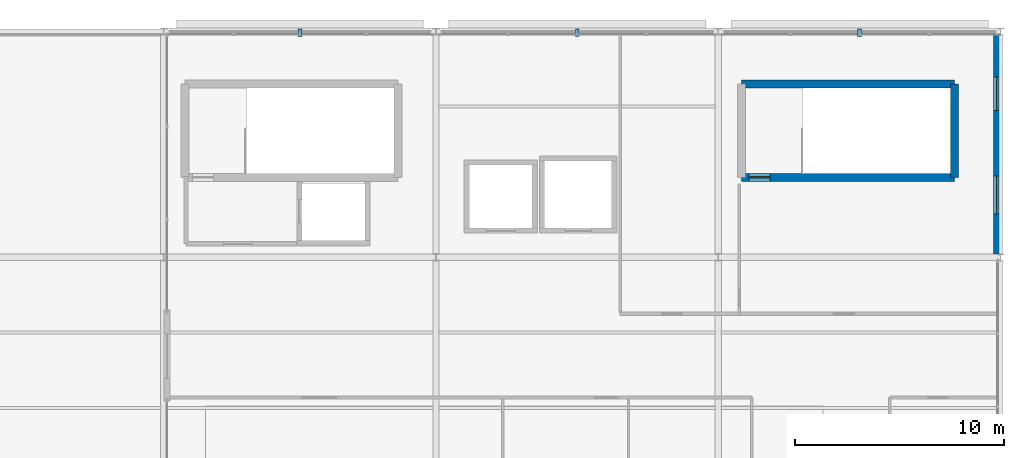
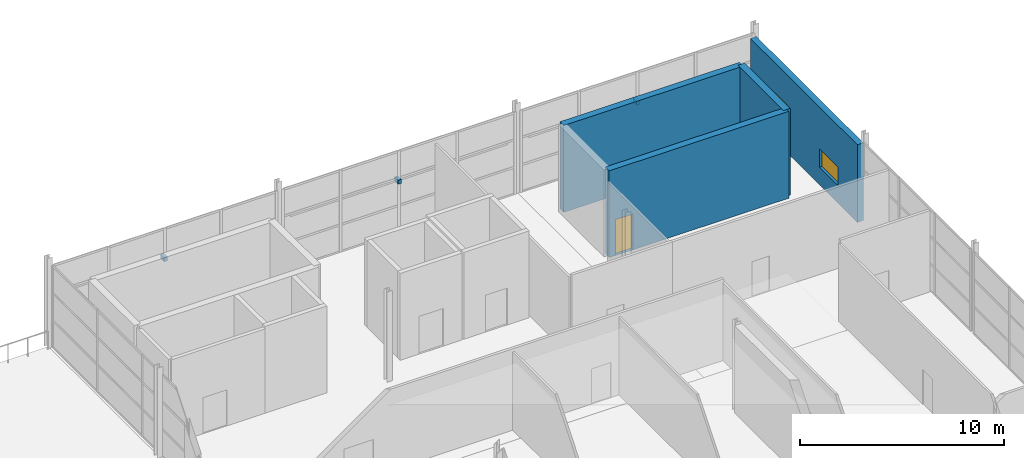
# One storey, part 33 of 34: 4 walls, 3 discrete accessories, 2 windows, 1 door, 3 openings.
"""IFC4 building model written with IfcOpenShell, lengths in metres."""

from ifc_helpers import new_model, si_unit, direction, frame, frame_2d, origin, origin_2d, place, context, subcontext, project, spatial, rectangle, extrude, material, layer, layer_set, type_object, element, fill, save


model = new_model("IFC4")

# Units and contexts
model_context = context("Model", 3, precision=1e-05, world=origin(), true_north=direction((0.0, 1.0)))
body_context = subcontext(model_context, "Body", "Model", "MODEL_VIEW")
ifc_project = project(units=[si_unit("LENGTHUNIT", "METRE"), si_unit("AREAUNIT", "SQUARE_METRE"), si_unit("VOLUMEUNIT", "CUBIC_METRE"), si_unit("PLANEANGLEUNIT", "RADIAN"), si_unit("MASSUNIT", "GRAM", prefix="KILO")], contexts=[model_context])

# Site, building, storey
site_placement = place(None, origin())
site = spatial("IfcSite", under=ifc_project, at=site_placement, CompositionType="ELEMENT")
building_placement = place(site_placement, origin())
building = spatial("IfcBuilding", under=site, at=building_placement, Name="Tamarisk Ironworks Central Station", CompositionType="ELEMENT")
storey_placement = place(building_placement, frame((0.0, 0.0, 25.199951171875)))
storey = spatial("IfcBuildingStorey", under=building, at=storey_placement, Name="L05", CompositionType="ELEMENT", Elevation=25.199951171875)

# Wall, openings, windows
ifc_material_1 = material(Name="Clay facing brickwork and mortar", Category="masonry")
ifc_layer_1 = layer(ifc_material_1, 0.340087890625)
ifc_layer_set_1 = layer_set([ifc_layer_1], Name="Clay facing brickwork and mortar")
wall_type_1 = type_object("IfcWallType", Name="WL-BR340", PredefinedType="STANDARD", material=ifc_layer_set_1)
wall_1_placement = place(storey_placement, frame((179.830078125, 122.251953125, 0.0), z_axis=(0.0, 0.0, 1.0), x_axis=(0.0, -1.0, 0.0)))
wall_1 = element("IfcWall", 1, at=wall_1_placement, inside=storey, type_object=wall_type_1, Name="L05 brick facade wall 0097", PredefinedType="STANDARD", context=body_context, shape_type="SweptSolid", body=[
    extrude(rectangle(XDim=10.50390625, YDim=0.340087890625, at=frame_2d((5.251953125, 0.0))), origin(), (0.0, 0.0, 1.0), 4.650146484375),
])
opening_1_placement = place(wall_1_placement, frame((2.02587890625, 0.0, 0.75)))
opening_1 = element("IfcOpeningElement", 2, at=opening_1_placement, cuts=wall_1, Name="Opening W10", PredefinedType="OPENING", context=body_context, shape_type="SweptSolid", body=[
    extrude(rectangle(XDim=1.60009765625, YDim=2.10009765625, at=frame_2d((0.800048828125, 1.050048828125))), frame((0.0, 0.18212890625, 0.0), z_axis=(0.0, -1.0, 0.0), x_axis=(1.0, 0.0, 0.0)), (0.0, 0.0, 1.0), 0.364013671875),
])
opening_2_placement = place(wall_1_placement, frame((6.778076171875, 0.0, 1.050048828125)))
opening_2 = element("IfcOpeningElement", 3, at=opening_2_placement, cuts=wall_1, Name="Opening W18", PredefinedType="OPENING", context=body_context, shape_type="SweptSolid", body=[
    extrude(rectangle(XDim=1.800048828125, YDim=1.10009765625, at=frame_2d((0.89990234375, 0.550048828125))), frame((0.0, 0.18212890625, 0.0), z_axis=(0.0, -1.0, 0.0), x_axis=(1.0, 0.0, 0.0)), (0.0, 0.0, 1.0), 0.364013671875),
])
ifc_material_2 = material(Name="Laminated solar-control low-E glass", Category="glass")
window_type_1 = type_object("IfcWindowType", Name="WN-10", PartitioningType="SINGLE_PANEL", PredefinedType="WINDOW", material=ifc_material_2)
window_1_placement = place(opening_1_placement, origin())
window_1 = element("IfcWindow", 4, at=window_1_placement, inside=storey, type_object=window_type_1, Name="L05 exterior window 0165", OverallHeight=2.10009765625, OverallWidth=1.60009765625, PartitioningType="DOUBLE_PANEL_VERTICAL", PredefinedType="WINDOW", context=body_context, shape_type="SweptSolid", body=[
    extrude(rectangle(XDim=1.60009765625, YDim=2.10009765625, at=frame_2d((0.800048828125, 1.050048828125))), frame((0.0, 0.030029296875, 0.0), z_axis=(0.0, -1.0, 0.0), x_axis=(1.0, 0.0, 0.0)), (0.0, 0.0, 1.0), 0.06005859375),
])
fill(opening_1, window_1)
window_type_2 = type_object("IfcWindowType", Name="WN-18", PartitioningType="SINGLE_PANEL", PredefinedType="WINDOW", material=ifc_material_2)
window_2_placement = place(opening_2_placement, origin())
window_2 = element("IfcWindow", 5, at=window_2_placement, inside=storey, type_object=window_type_2, Name="L05 exterior window 0166", OverallHeight=1.10009765625, OverallWidth=1.800048828125, PartitioningType="DOUBLE_PANEL_VERTICAL", PredefinedType="WINDOW", context=body_context, shape_type="SweptSolid", body=[
    extrude(rectangle(XDim=1.800048828125, YDim=1.10009765625, at=frame_2d((0.89990234375, 0.550048828125))), frame((0.0, 0.030029296875, 0.0), z_axis=(0.0, -1.0, 0.0), x_axis=(1.0, 0.0, 0.0)), (0.0, 0.0, 1.0), 0.06005859375),
])
fill(opening_2, window_2)

# Wall, opening, door
ifc_material_3 = material(Name="Concrete C50/60", Category="concrete")
ifc_layer_2 = layer(ifc_material_3, 0.3798828125)
ifc_layer_set_2 = layer_set([ifc_layer_2], Name="Concrete C50/60")
wall_type_2 = type_object("IfcWallType", Name="WL-CW380", PredefinedType="SOLIDWALL", material=ifc_layer_set_2)
wall_2_placement = place(storey_placement, frame((167.614990234375, 115.4150390625, 0.0), z_axis=(0.0, 0.0, 1.0), x_axis=(1.0, 0.0, 0.0)))
wall_2 = element("IfcWall", 6, at=wall_2_placement, inside=storey, type_object=wall_type_2, Name="ST-C2 core wall L (L05)", PredefinedType="SOLIDWALL", context=body_context, shape_type="SweptSolid", body=[
    extrude(rectangle(XDim=10.169921875, YDim=0.3798828125, at=frame_2d((5.0849609375, 0.0))), origin(), (0.0, 0.0, 1.0), 5.199951171875),
])
opening_3_placement = place(wall_2_placement, frame((0.35009765625, 0.0, 0.0048828125)))
opening_3 = element("IfcOpeningElement", 7, at=opening_3_placement, cuts=wall_2, Name="Opening FD07", PredefinedType="OPENING", context=body_context, shape_type="SweptSolid", body=[
    extrude(rectangle(XDim=1.0, YDim=2.14990234375, at=frame_2d((0.5, 1.074951171875))), frame((0.0, 0.201904296875, 0.0), z_axis=(0.0, -1.0, 0.0), x_axis=(1.0, 0.0, 0.0)), (0.0, 0.0, 1.0), 0.40380859375),
])
ifc_material_4 = material(Name="Galvanised hollow-metal door steel", Category="steel")
door_type = type_object("IfcDoorType", Name="DR-FD07", OperationType="NOTDEFINED", PredefinedType="DOOR", material=ifc_material_4)
door_placement = place(opening_3_placement, origin())
door = element("IfcDoor", 8, at=door_placement, inside=storey, type_object=door_type, Name="ST-C2 fire stair door (L05)", OperationType="SINGLE_SWING_RIGHT", OverallHeight=2.14990234375, OverallWidth=1.0, PredefinedType="DOOR", context=body_context, shape_type="SweptSolid", body=[
    extrude(rectangle(XDim=1.0, YDim=2.14990234375, at=frame_2d((0.5, 1.074951171875))), frame((0.0, 0.02490234375, 0.0), z_axis=(0.0, -1.0, 0.0), x_axis=(1.0, 0.0, 0.0)), (0.0, 0.0, 1.0), 0.050048828125),
])
fill(opening_3, door)

# Walls
wall_3_placement = place(storey_placement, frame((167.614990234375, 119.885009765625, 0.0), z_axis=(0.0, 0.0, 1.0), x_axis=(1.0, 0.0, 0.0)))
element("IfcWall", 9, at=wall_3_placement, inside=storey, type_object=wall_type_2, Name="ST-C2 core wall R (L05)", PredefinedType="SOLIDWALL", context=body_context, shape_type="SweptSolid", body=[
    extrude(rectangle(XDim=10.169921875, YDim=0.3798828125, at=frame_2d((5.0849609375, 0.0))), origin(), (0.0, 0.0, 1.0), 5.199951171875),
])
wall_4_placement = place(storey_placement, frame((177.784912109375, 115.4150390625, 0.0), z_axis=(0.0, 0.0, 1.0), x_axis=(0.0, 1.0, 0.0)))
element("IfcWall", 10, at=wall_4_placement, inside=storey, type_object=wall_type_2, Name="ST-C2 core wall F (L05)", PredefinedType="SOLIDWALL", context=body_context, shape_type="SweptSolid", body=[
    extrude(rectangle(XDim=4.469970703125, YDim=0.3798828125, at=frame_2d((2.23486328125, 0.0))), origin(), (0.0, 0.0, 1.0), 5.199951171875),
])

# Discrete accessories
ifc_material_5 = material(Name="Brushed stainless steel AISI 316", Category="steel")
discrete_accessory_type = type_object("IfcDiscreteAccessoryType", Name="ACC-BRK01", PredefinedType="BRACKET", material=ifc_material_5)
for number, where, z_axis, x_axis, name in (
    (11, (146.5, 122.320068359375, 2.97998046875), (0.0, 0.0, 1.0), (1.0, 0.0, 0.0), "L05 solar canopy mounting bracket 016"),
    (12, (159.75, 122.320068359375, 2.97998046875), (0.0, 0.0, 1.0), (1.0, 0.0, 0.0), "L05 solar canopy mounting bracket 017"),
    (13, (173.25, 122.320068359375, 2.97998046875), (0.0, 0.0, 1.0), (1.0, 0.0, 0.0), "L05 solar canopy mounting bracket 018"),
):
    element("IfcDiscreteAccessory", number, at=place(storey_placement, frame(where, z_axis=z_axis, x_axis=x_axis)), inside=storey, type_object=discrete_accessory_type, Name=name, PredefinedType="BRACKET", context=body_context, shape_type="SweptSolid", body=[
        extrude(rectangle(XDim=0.179931640625, YDim=0.360107421875, at=origin_2d()), origin(), (0.0, 0.0, 1.0), 0.239990234375),
    ])

save(model, "model.ifc")
